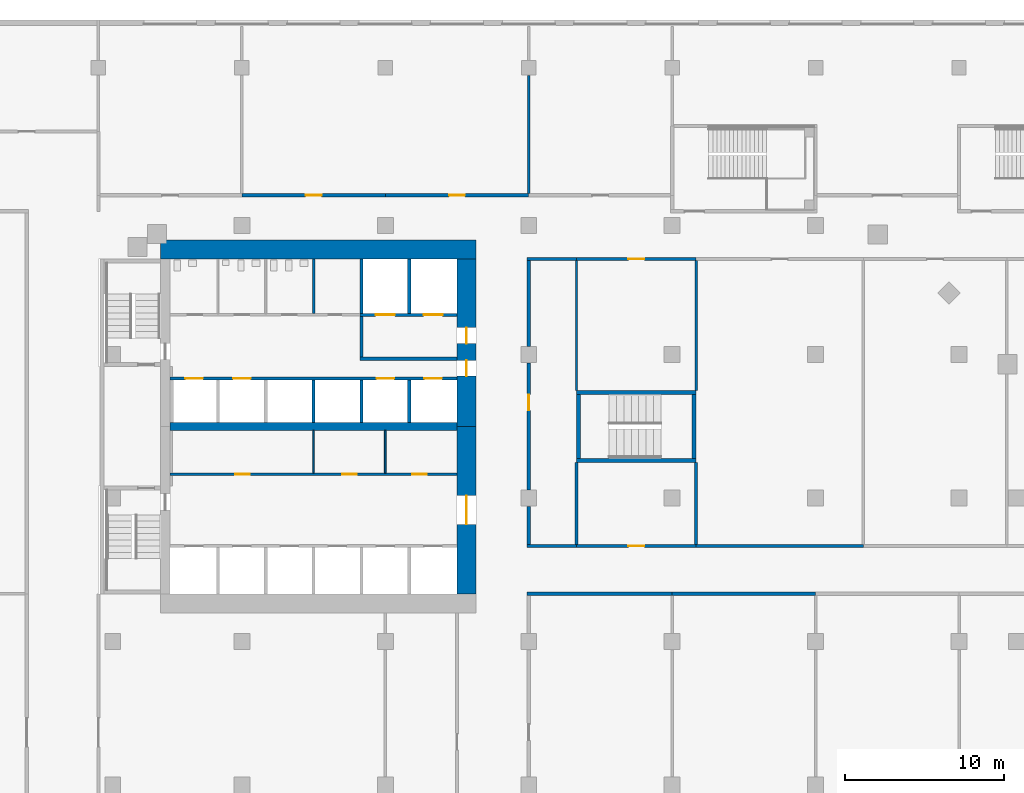
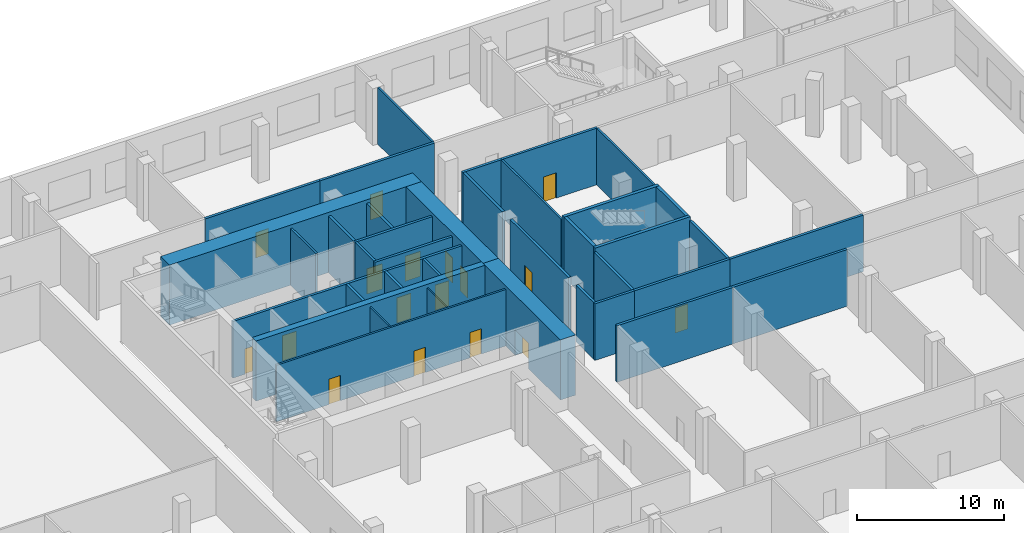
# One storey, part 11 of 21: 38 walls, 17 doors, 17 openings.
"""IFC4 building model written with IfcOpenShell, lengths in metres."""

import ifcopenshell
import ifcopenshell.guid

model = None  # the IFC model being written
_history = None  # IfcOwnerHistory: only IFC2X3 demands one
_inside = {}  # id of a spatial element -> (the spatial element, [elements in it])
_under = {}  # id of a project, library or spatial element -> (it, [spatial elements below it])
_declared = {}  # id of a project -> (the project, [libraries it declares])
_typed = {}  # id of a type object -> (the type object, [elements of that type])
_made_of = {}  # id of a material, layer set ... -> (it, [elements and type objects made of it])


def new_model(schema):
    """Start an empty IFC model of exactly this schema.

    Asked for "IFC4X3", IfcOpenShell would pick the latest addendum, in which some entities
    have other attributes; the version numbers below select the first issue.
    IFC2X3 requires an IfcOwnerHistory on every rooted entity: one is made here for all.
    """
    global model, _history
    if schema == "IFC4X3":
        model = ifcopenshell.file(schema_version=(4, 3, 0, 0))
    else:
        model = ifcopenshell.file(schema=schema)
    _inside.clear()
    _under.clear()
    _declared.clear()
    _typed.clear()
    _made_of.clear()
    _history = None
    if model.schema == "IFC2X3":
        org = make("IfcOrganization", Name="unknown")
        user = make(
            "IfcPersonAndOrganization",
            ThePerson=make("IfcPerson", FamilyName="unknown"),
            TheOrganization=org,
        )
        app = make(
            "IfcApplication",
            ApplicationDeveloper=org,
            Version="unknown",
            ApplicationFullName="unknown",
            ApplicationIdentifier="unknown",
        )
        _history = make(
            "IfcOwnerHistory",
            OwningUser=user,
            OwningApplication=app,
            ChangeAction="ADDED",
            CreationDate=0,
        )
    return model


def make(cls, **values):
    """One entity of the class cls with the attributes given. An attribute that is None is left unset."""
    return model.create_entity(
        cls, **{name: value for name, value in values.items() if value is not None}
    )


def rooted(cls, **values):
    """An entity with a GlobalId (a new one), such as an element, a storey or a relation."""
    return make(cls, GlobalId=ifcopenshell.guid.new(), OwnerHistory=_history, **values)


def si_unit(unit_type, name, prefix=None):
    """IfcSIUnit, for example si_unit("LENGTHUNIT", "METRE", prefix="MILLI")."""
    return make("IfcSIUnit", UnitType=unit_type, Prefix=prefix, Name=name)


def assignment(units):
    """IfcUnitAssignment: the units of a project."""
    return None if units is None else make("IfcUnitAssignment", Units=units)


def point(xyz):
    """IfcCartesianPoint."""
    return None if xyz is None else make("IfcCartesianPoint", Coordinates=xyz)


def direction(xyz):
    """IfcDirection."""
    return None if xyz is None else make("IfcDirection", DirectionRatios=xyz)


def frame(location, z_axis=None, x_axis=None):
    """IfcAxis2Placement3D, a coordinate frame: its origin and axes. An axis left out is left unset."""
    return make(
        "IfcAxis2Placement3D",
        Location=point(location),
        Axis=direction(z_axis),
        RefDirection=direction(x_axis),
    )


def frame_2d(location, x_axis=None):
    """IfcAxis2Placement2D, a coordinate frame in the plane: its origin and x axis."""
    return make(
        "IfcAxis2Placement2D", Location=point(location), RefDirection=direction(x_axis)
    )


def origin():
    """The frame at (0, 0, 0) with its axes left unset."""
    return frame((0.0, 0.0, 0.0))


def place(relative_to, where):
    """IfcLocalPlacement: puts the frame where relative to a parent placement (None: the world)."""
    return make(
        "IfcLocalPlacement", PlacementRelTo=relative_to, RelativePlacement=where
    )


def context(
    kind, dimensions, precision=None, world=None, true_north=None, identifier=None
):
    """IfcGeometricRepresentationContext, for example the 3D "Model" context."""
    return make(
        "IfcGeometricRepresentationContext",
        ContextIdentifier=identifier,
        ContextType=kind,
        CoordinateSpaceDimension=dimensions,
        Precision=precision,
        WorldCoordinateSystem=world,
        TrueNorth=true_north,
    )


def subcontext(parent, identifier, kind, view, scale=None):
    """IfcGeometricRepresentationSubContext, for example "Body" below "Model"."""
    return make(
        "IfcGeometricRepresentationSubContext",
        ContextIdentifier=identifier,
        ContextType=kind,
        ParentContext=parent,
        TargetScale=scale,
        TargetView=view,
    )


def project(units=None, contexts=None):
    """IfcProject with its units and contexts."""
    return rooted(
        "IfcProject",
        Name="project",
        RepresentationContexts=contexts,
        UnitsInContext=assignment(units),
    )


def spatial(cls, under=None, at=None, **own):
    """A site, building, storey or space (cls), placed at a placement, below another one or the project."""
    s = rooted(cls, ObjectPlacement=at, **own)
    if under is not None:
        _under.setdefault(under.id(), (under, []))[1].append(s)
    return s


def profile(cls, at=None, kind="AREA", **sizes):
    """A parametric profile (cls). Its sizes go by their IFC names, for example OverallWidth=200.0."""
    return make(cls, ProfileType=kind, Position=at, **sizes)


def rectangle(**sizes):
    """IfcRectangleProfileDef."""
    return profile("IfcRectangleProfileDef", **sizes)


def extrude(swept, where, along, depth):
    """IfcExtrudedAreaSolid: the profile swept, set in the frame where, extruded along a direction by depth."""
    return make(
        "IfcExtrudedAreaSolid",
        SweptArea=swept,
        Position=where,
        ExtrudedDirection=direction(along),
        Depth=depth,
    )


def shape(context_of_items, identifier, shape_type, items):
    """IfcShapeRepresentation: the items that make up one representation, for example the "Body"."""
    return make(
        "IfcShapeRepresentation",
        ContextOfItems=context_of_items,
        RepresentationIdentifier=identifier,
        RepresentationType=shape_type,
        Items=items,
    )


def material(Name=None, Category=None):
    """IfcMaterial."""
    return make("IfcMaterial", Name=Name, Category=Category)


def layer(
    of_material, thickness, ventilated=None, Name=None, Category=None, Priority=None
):
    """IfcMaterialLayer: one layer of a wall or slab, of a material (None: an air gap)."""
    return make(
        "IfcMaterialLayer",
        Material=of_material,
        LayerThickness=thickness,
        IsVentilated=ventilated,
        Name=Name,
        Category=Category,
        Priority=Priority,
    )


def layer_set(layers, Name=None):
    """IfcMaterialLayerSet."""
    return make("IfcMaterialLayerSet", MaterialLayers=layers, LayerSetName=Name)


def made_of(thing, what):
    """Note that an element or type object is made of a material, layer set ...; save() writes the relation."""
    if what is not None:
        _made_of.setdefault(what.id(), (what, []))[1].append(thing)
    return thing


def type_object(cls, material=None, **own):
    """A type object (cls), such as IfcWallType, which elements share."""
    return made_of(rooted(cls, **own), material)


def element(
    cls,
    number,
    at=None,
    inside=None,
    cuts=None,
    type_object=None,
    material=None,
    context=None,
    identifier="Body",
    shape_type=None,
    held_by="IfcProductDefinitionShape",
    body=None,
    shapes=None,
    **own,
):
    """One element of the class cls, such as IfcWall. Its Tag is "e" and its number.

    at: its placement. inside: the storey or other place that contains it. cuts: it is an
    opening in that element (IfcRelVoidsElement). A single representation is given by context,
    identifier, shape_type and body (its items); several are given by shapes. held_by: the class
    of the entity that holds the representations. save() writes the other relations.
    """
    e = rooted(cls, Tag="e%d" % number, ObjectPlacement=at, **own)
    if body is not None:
        shapes = [shape(context, identifier, shape_type, body)]
    if shapes is not None:
        e.Representation = make(held_by, Representations=shapes)
    if inside is not None:
        _inside.setdefault(inside.id(), (inside, []))[1].append(e)
    if cuts is not None:
        rooted(
            "IfcRelVoidsElement", RelatingBuildingElement=cuts, RelatedOpeningElement=e
        )
    if type_object is not None:
        _typed.setdefault(type_object.id(), (type_object, []))[1].append(e)
    return made_of(e, material)


def fill(opening, filler):
    """IfcRelFillsElement: the door or window that sits in an opening."""
    return rooted(
        "IfcRelFillsElement",
        RelatingOpeningElement=opening,
        RelatedBuildingElement=filler,
    )


def aggregate(whole, parts):
    """IfcRelAggregates: a whole, such as a stair, and the parts it consists of."""
    return rooted("IfcRelAggregates", RelatingObject=whole, RelatedObjects=parts)


def save(model, path):
    """Write the relations noted so far, then the file.

    IfcRelAggregates (storeys below a building ...), IfcRelContainedInSpatialStructure (elements
    in a storey), IfcRelDefinesByType, IfcRelAssociatesMaterial and IfcRelDeclares: one each for
    every whole, place, type object, material and project.
    """
    for whole, parts in _under.values():
        aggregate(whole, parts)
    for where, things in _inside.values():
        rooted(
            "IfcRelContainedInSpatialStructure",
            RelatedElements=things,
            RelatingStructure=where,
        )
    for kind, things in _typed.values():
        rooted("IfcRelDefinesByType", RelatedObjects=things, RelatingType=kind)
    for what, things in _made_of.values():
        rooted("IfcRelAssociatesMaterial", RelatedObjects=things, RelatingMaterial=what)
    for by, libraries in _declared.values():
        rooted("IfcRelDeclares", RelatingContext=by, RelatedDefinitions=libraries)
    model.write(path)


model = new_model("IFC4")

# Units and contexts
model_context = context("Model", 3, precision=1e-05, world=origin(), true_north=direction((0.0, 1.0)))
body_context = subcontext(model_context, "Body", "Model", "MODEL_VIEW")
ifc_project = project(units=[si_unit("LENGTHUNIT", "METRE"), si_unit("AREAUNIT", "SQUARE_METRE"), si_unit("VOLUMEUNIT", "CUBIC_METRE"), si_unit("PLANEANGLEUNIT", "RADIAN"), si_unit("MASSUNIT", "GRAM", prefix="KILO")], contexts=[model_context])

# Site, building, storey
site_placement = place(None, origin())
site = spatial("IfcSite", under=ifc_project, at=site_placement, CompositionType="ELEMENT")
building_placement = place(site_placement, origin())
building = spatial("IfcBuilding", under=site, at=building_placement, Name="Cinnabar Reach Civic Tower", CompositionType="ELEMENT")
storey_placement = place(building_placement, frame((0.0, 0.0, 11.0)))
storey = spatial("IfcBuildingStorey", under=building, at=storey_placement, Name="L02", CompositionType="ELEMENT", Elevation=11.0)

# Wall
ifc_material_1 = material(Name="Concrete C70", Category="concrete")
ifc_layer_1 = layer(ifc_material_1, 1.2)
ifc_layer_set_1 = layer_set([ifc_layer_1], Name="Core wall 1200 EI 180")
wall_type_1 = type_object("IfcWallType", Name="Core wall 1200 EI 180", PredefinedType="SOLIDWALL", material=ifc_layer_set_1)
wall_1_placement = place(storey_placement, frame((23.7, 42.6, 0.0), z_axis=(0.0, 0.0, 1.0), x_axis=(-1.0, 0.0, 0.0)))
element("IfcWall", 1, at=wall_1_placement, inside=storey, type_object=wall_type_1, Name="Core wall T1 L02 N", PredefinedType="SOLIDWALL", context=body_context, shape_type="SweptSolid", body=[
    extrude(rectangle(XDim=19.8, YDim=1.2, at=frame_2d((9.9, 0.0))), origin(), (0.0, 0.0, 1.0), 5.0),
])

# Wall, opening, door
wall_2_placement = place(storey_placement, frame((23.1, 21.0, 0.0), z_axis=(0.0, 0.0, 1.0), x_axis=(0.0, 1.0, 0.0)))
wall_2 = element("IfcWall", 2, at=wall_2_placement, inside=storey, type_object=wall_type_1, Name="Core wall T1 L02 E", PredefinedType="SOLIDWALL", context=body_context, shape_type="SweptSolid", body=[
    extrude(rectangle(XDim=10.5, YDim=1.2, at=frame_2d((5.25, 0.0))), origin(), (0.0, 0.0, 1.0), 5.0),
])
opening_1_placement = place(wall_2_placement, frame((4.35, 0.0, 0.0)))
opening_1 = element("IfcOpeningElement", 3, at=opening_1_placement, cuts=wall_2, Name="Opening D3128", PredefinedType="OPENING", context=body_context, shape_type="SweptSolid", body=[
    extrude(rectangle(XDim=1.8, YDim=2.1, at=frame_2d((0.9, 1.05))), frame((0.0, 0.61, 0.0), z_axis=(0.0, -1.0, 0.0), x_axis=(1.0, 0.0, 0.0)), (0.0, 0.0, 1.0), 1.22),
])
ifc_material_2 = material(Name="Timber door leaf in steel frame", Category="steel")
door_type_1 = type_object("IfcDoorType", Name="Double swing door 1800 x 2100 T1", OperationType="DOUBLE_DOOR_DOUBLE_SWING", PredefinedType="DOOR", material=ifc_material_2)
door_1_placement = place(opening_1_placement, origin())
door_1 = element("IfcDoor", 4, at=door_1_placement, inside=storey, type_object=door_type_1, Name="Door D3128", OperationType="DOUBLE_DOOR_DOUBLE_SWING", OverallHeight=2.1, OverallWidth=1.8, PredefinedType="DOOR", context=body_context, shape_type="SweptSolid", body=[
    extrude(rectangle(XDim=1.8, YDim=2.1, at=frame_2d((0.9, 1.05))), frame((0.0, 0.025, 0.0), z_axis=(0.0, -1.0, 0.0), x_axis=(1.0, 0.0, 0.0)), (0.0, 0.0, 1.0), 0.05),
])
fill(opening_1, door_1)

# Wall, openings, doors
wall_3_placement = place(storey_placement, frame((23.1, 31.5, 0.0), z_axis=(0.0, 0.0, 1.0), x_axis=(0.0, 1.0, 0.0)))
wall_3 = element("IfcWall", 5, at=wall_3_placement, inside=storey, type_object=wall_type_1, Name="Core wall T1 L02 E2", PredefinedType="SOLIDWALL", context=body_context, shape_type="SweptSolid", body=[
    extrude(rectangle(XDim=10.5, YDim=1.2, at=frame_2d((5.25, 0.0))), origin(), (0.0, 0.0, 1.0), 5.0),
])
opening_2_placement = place(wall_3_placement, frame((3.15, 0.0, 0.0)))
opening_2 = element("IfcOpeningElement", 6, at=opening_2_placement, cuts=wall_3, Name="Opening D3129", PredefinedType="OPENING", context=body_context, shape_type="SweptSolid", body=[
    extrude(rectangle(XDim=1.0, YDim=2.1, at=frame_2d((0.5, 1.05))), frame((0.0, 0.61, 0.0), z_axis=(0.0, -1.0, 0.0), x_axis=(1.0, 0.0, 0.0)), (0.0, 0.0, 1.0), 1.22),
])
opening_3_placement = place(wall_3_placement, frame((5.2, 0.0, 0.0)))
opening_3 = element("IfcOpeningElement", 7, at=opening_3_placement, cuts=wall_3, Name="Opening D3130", PredefinedType="OPENING", context=body_context, shape_type="SweptSolid", body=[
    extrude(rectangle(XDim=1.0, YDim=2.1, at=frame_2d((0.5, 1.05))), frame((0.0, 0.61, 0.0), z_axis=(0.0, -1.0, 0.0), x_axis=(1.0, 0.0, 0.0)), (0.0, 0.0, 1.0), 1.22),
])
door_type_2 = type_object("IfcDoorType", Name="Firefighting lobby door 1000 x 2100 T1", OperationType="SINGLE_SWING_LEFT", PredefinedType="DOOR", material=ifc_material_2)
door_2_placement = place(opening_3_placement, frame((1.0, 0.0, 0.0), z_axis=(0.0, 0.0, 1.0), x_axis=(-1.0, 0.0, 0.0)))
door_2 = element("IfcDoor", 8, at=door_2_placement, inside=storey, type_object=door_type_2, Name="Door D3130", OperationType="SINGLE_SWING_LEFT", OverallHeight=2.1, OverallWidth=1.0, PredefinedType="DOOR", context=body_context, shape_type="SweptSolid", body=[
    extrude(rectangle(XDim=1.0, YDim=2.1, at=frame_2d((0.5, 1.05))), frame((0.0, 0.025, 0.0), z_axis=(0.0, -1.0, 0.0), x_axis=(1.0, 0.0, 0.0)), (0.0, 0.0, 1.0), 0.05),
])
fill(opening_3, door_2)
door_type_3 = type_object("IfcDoorType", Name="Single swing door 1000 x 2100 T1", OperationType="SINGLE_SWING_LEFT", PredefinedType="DOOR", material=ifc_material_2)
door_3_placement = place(opening_2_placement, frame((1.0, 0.0, 0.0), z_axis=(0.0, 0.0, 1.0), x_axis=(-1.0, 0.0, 0.0)))
door_3 = element("IfcDoor", 9, at=door_3_placement, inside=storey, type_object=door_type_3, Name="Door D3129", OperationType="SINGLE_SWING_RIGHT", OverallHeight=2.1, OverallWidth=1.0, PredefinedType="DOOR", context=body_context, shape_type="SweptSolid", body=[
    extrude(rectangle(XDim=1.0, YDim=2.1, at=frame_2d((0.5, 1.05))), frame((0.0, 0.025, 0.0), z_axis=(0.0, -1.0, 0.0), x_axis=(1.0, 0.0, 0.0)), (0.0, 0.0, 1.0), 0.05),
])
fill(opening_2, door_3)

# Wall
ifc_material_3 = material(Name="Concrete C60", Category="concrete")
ifc_layer_2 = layer(ifc_material_3, 0.5)
ifc_layer_set_2 = layer_set([ifc_layer_2], Name="Core wall 500 EI 180")
wall_type_2 = type_object("IfcWallType", Name="Core wall 500 EI 180", PredefinedType="SOLIDWALL", material=ifc_layer_set_2)
wall_4_placement = place(storey_placement, frame((4.5, 31.5, 0.0), z_axis=(0.0, 0.0, 1.0), x_axis=(1.0, 0.0, 0.0)))
element("IfcWall", 10, at=wall_4_placement, inside=storey, type_object=wall_type_2, Name="Core spine wall T1 L02", PredefinedType="SOLIDWALL", context=body_context, shape_type="SweptSolid", body=[
    extrude(rectangle(XDim=18.0, YDim=0.5, at=frame_2d((9.0, 0.0))), origin(), (0.0, 0.0, 1.0), 5.0),
])

# Wall, openings, doors
ifc_material_4 = material(Name="Gypsum board on steel studs, double layer", Category="steel")
ifc_layer_3 = layer(ifc_material_4, 0.15)
ifc_layer_set_3 = layer_set([ifc_layer_3], Name="Corridor wall 150 T1")
wall_type_3 = type_object("IfcWallType", Name="Corridor wall 150 T1", PredefinedType="PARTITIONING", material=ifc_layer_set_3)
wall_5_placement = place(storey_placement, frame((4.5, 28.5, 0.0), z_axis=(0.0, 0.0, 1.0), x_axis=(1.0, 0.0, 0.0)))
wall_5 = element("IfcWall", 11, at=wall_5_placement, inside=storey, type_object=wall_type_3, Name="Corridor wall 19", PredefinedType="PARTITIONING", context=body_context, shape_type="SweptSolid", body=[
    extrude(rectangle(XDim=18.0, YDim=0.15, at=frame_2d((9.0, 0.0))), origin(), (0.0, 0.0, 1.0), 4.7),
])
opening_4_placement = place(wall_5_placement, frame((4.1, 0.0, 0.0)))
opening_4 = element("IfcOpeningElement", 12, at=opening_4_placement, cuts=wall_5, Name="Opening D3131", PredefinedType="OPENING", context=body_context, shape_type="SweptSolid", body=[
    extrude(rectangle(XDim=0.9, YDim=2.1, at=frame_2d((0.45, 1.05))), frame((0.0, 0.085, 0.0), z_axis=(0.0, -1.0, 0.0), x_axis=(1.0, 0.0, 0.0)), (0.0, 0.0, 1.0), 0.17),
])
opening_5_placement = place(wall_5_placement, frame((10.8, 0.0, 0.0)))
opening_5 = element("IfcOpeningElement", 13, at=opening_5_placement, cuts=wall_5, Name="Opening D3132", PredefinedType="OPENING", context=body_context, shape_type="SweptSolid", body=[
    extrude(rectangle(XDim=0.9, YDim=2.1, at=frame_2d((0.45, 1.05))), frame((0.0, 0.085, 0.0), z_axis=(0.0, -1.0, 0.0), x_axis=(1.0, 0.0, 0.0)), (0.0, 0.0, 1.0), 0.17),
])
opening_6_placement = place(wall_5_placement, frame((15.2, 0.0, 0.0)))
opening_6 = element("IfcOpeningElement", 14, at=opening_6_placement, cuts=wall_5, Name="Opening D3133", PredefinedType="OPENING", context=body_context, shape_type="SweptSolid", body=[
    extrude(rectangle(XDim=0.9, YDim=2.1, at=frame_2d((0.45, 1.05))), frame((0.0, 0.085, 0.0), z_axis=(0.0, -1.0, 0.0), x_axis=(1.0, 0.0, 0.0)), (0.0, 0.0, 1.0), 0.17),
])
door_type_4 = type_object("IfcDoorType", Name="Single swing door 900 x 2100 corridor T1", OperationType="SINGLE_SWING_LEFT", PredefinedType="DOOR", material=ifc_material_2)
door_4_placement = place(opening_4_placement, origin())
door_4 = element("IfcDoor", 15, at=door_4_placement, inside=storey, type_object=door_type_4, Name="Door D3131", OperationType="SINGLE_SWING_RIGHT", OverallHeight=2.1, OverallWidth=0.9, PredefinedType="DOOR", context=body_context, shape_type="SweptSolid", body=[
    extrude(rectangle(XDim=0.9, YDim=2.1, at=frame_2d((0.45, 1.05))), frame((0.0, 0.025, 0.0), z_axis=(0.0, -1.0, 0.0), x_axis=(1.0, 0.0, 0.0)), (0.0, 0.0, 1.0), 0.05),
])
fill(opening_4, door_4)
door_5_placement = place(opening_5_placement, origin())
door_5 = element("IfcDoor", 16, at=door_5_placement, inside=storey, type_object=door_type_4, Name="Door D3132", OperationType="SINGLE_SWING_RIGHT", OverallHeight=2.1, OverallWidth=0.9, PredefinedType="DOOR", context=body_context, shape_type="SweptSolid", body=[
    extrude(rectangle(XDim=0.9, YDim=2.1, at=frame_2d((0.45, 1.05))), frame((0.0, 0.025, 0.0), z_axis=(0.0, -1.0, 0.0), x_axis=(1.0, 0.0, 0.0)), (0.0, 0.0, 1.0), 0.05),
])
fill(opening_5, door_5)
door_6_placement = place(opening_6_placement, origin())
door_6 = element("IfcDoor", 17, at=door_6_placement, inside=storey, type_object=door_type_4, Name="Door D3133", OperationType="SINGLE_SWING_LEFT", OverallHeight=2.1, OverallWidth=0.9, PredefinedType="DOOR", context=body_context, shape_type="SweptSolid", body=[
    extrude(rectangle(XDim=0.9, YDim=2.1, at=frame_2d((0.45, 1.05))), frame((0.0, 0.025, 0.0), z_axis=(0.0, -1.0, 0.0), x_axis=(1.0, 0.0, 0.0)), (0.0, 0.0, 1.0), 0.05),
])
fill(opening_6, door_6)

ifc_material_5 = material(Name="Blockwork", Category="masonry")
ifc_layer_4 = layer(ifc_material_5, 0.2)
ifc_layer_set_4 = layer_set([ifc_layer_4], Name="Lift shaft wall 200 T1")
wall_type_4 = type_object("IfcWallType", Name="Lift shaft wall 200 T1", PredefinedType="PARTITIONING", material=ifc_layer_set_4)
wall_6_placement = place(storey_placement, frame((4.5, 34.5, 0.0), z_axis=(0.0, 0.0, 1.0), x_axis=(1.0, 0.0, 0.0)))
wall_6 = element("IfcWall", 18, at=wall_6_placement, inside=storey, type_object=wall_type_4, Name="Lift shaft wall 5", PredefinedType="PARTITIONING", context=body_context, shape_type="SweptSolid", body=[
    extrude(rectangle(XDim=18.0, YDim=0.2, at=frame_2d((9.0, 0.0))), origin(), (0.0, 0.0, 1.0), 4.7),
])
opening_7_placement = place(wall_6_placement, frame((0.95, 0.0, 0.0)))
opening_7 = element("IfcOpeningElement", 19, at=opening_7_placement, cuts=wall_6, Name="Opening D3122", PredefinedType="OPENING", context=body_context, shape_type="SweptSolid", body=[
    extrude(rectangle(XDim=1.1, YDim=2.1, at=frame_2d((0.55, 1.05))), frame((0.0, 0.11, 0.0), z_axis=(0.0, -1.0, 0.0), x_axis=(1.0, 0.0, 0.0)), (0.0, 0.0, 1.0), 0.22),
])
opening_8_placement = place(wall_6_placement, frame((3.95, 0.0, 0.0)))
opening_8 = element("IfcOpeningElement", 20, at=opening_8_placement, cuts=wall_6, Name="Opening D3123", PredefinedType="OPENING", context=body_context, shape_type="SweptSolid", body=[
    extrude(rectangle(XDim=1.1, YDim=2.1, at=frame_2d((0.55, 1.05))), frame((0.0, 0.11, 0.0), z_axis=(0.0, -1.0, 0.0), x_axis=(1.0, 0.0, 0.0)), (0.0, 0.0, 1.0), 0.22),
])
opening_9_placement = place(wall_6_placement, frame((12.95, 0.0, 0.0)))
opening_9 = element("IfcOpeningElement", 21, at=opening_9_placement, cuts=wall_6, Name="Opening D3124", PredefinedType="OPENING", context=body_context, shape_type="SweptSolid", body=[
    extrude(rectangle(XDim=1.1, YDim=2.1, at=frame_2d((0.55, 1.05))), frame((0.0, 0.11, 0.0), z_axis=(0.0, -1.0, 0.0), x_axis=(1.0, 0.0, 0.0)), (0.0, 0.0, 1.0), 0.22),
])
opening_10_placement = place(wall_6_placement, frame((15.95, 0.0, 0.0)))
opening_10 = element("IfcOpeningElement", 22, at=opening_10_placement, cuts=wall_6, Name="Opening D3125", PredefinedType="OPENING", context=body_context, shape_type="SweptSolid", body=[
    extrude(rectangle(XDim=1.1, YDim=2.1, at=frame_2d((0.55, 1.05))), frame((0.0, 0.11, 0.0), z_axis=(0.0, -1.0, 0.0), x_axis=(1.0, 0.0, 0.0)), (0.0, 0.0, 1.0), 0.22),
])
ifc_material_6 = material(Name="Stainless steel sliding door", Category="steel")
door_type_5 = type_object("IfcDoorType", Name="Lift landing door 1100 x 2100 T1", OperationType="SLIDING_TO_LEFT", PredefinedType="DOOR", material=ifc_material_6)
door_7_placement = place(opening_7_placement, origin())
door_7 = element("IfcDoor", 23, at=door_7_placement, inside=storey, type_object=door_type_5, Name="Lift landing door SH1 L02", OperationType="SLIDING_TO_LEFT", OverallHeight=2.1, OverallWidth=1.1, PredefinedType="DOOR", context=body_context, shape_type="SweptSolid", body=[
    extrude(rectangle(XDim=1.1, YDim=2.1, at=frame_2d((0.55, 1.05))), frame((0.0, 0.025, 0.0), z_axis=(0.0, -1.0, 0.0), x_axis=(1.0, 0.0, 0.0)), (0.0, 0.0, 1.0), 0.05),
])
fill(opening_7, door_7)
door_8_placement = place(opening_8_placement, origin())
door_8 = element("IfcDoor", 24, at=door_8_placement, inside=storey, type_object=door_type_5, Name="Lift landing door SH2 L02", OperationType="SLIDING_TO_LEFT", OverallHeight=2.1, OverallWidth=1.1, PredefinedType="DOOR", context=body_context, shape_type="SweptSolid", body=[
    extrude(rectangle(XDim=1.1, YDim=2.1, at=frame_2d((0.55, 1.05))), frame((0.0, 0.025, 0.0), z_axis=(0.0, -1.0, 0.0), x_axis=(1.0, 0.0, 0.0)), (0.0, 0.0, 1.0), 0.05),
])
fill(opening_8, door_8)
door_9_placement = place(opening_9_placement, origin())
door_9 = element("IfcDoor", 25, at=door_9_placement, inside=storey, type_object=door_type_5, Name="Lift landing door SV1 L02", OperationType="SLIDING_TO_LEFT", OverallHeight=2.1, OverallWidth=1.1, PredefinedType="DOOR", context=body_context, shape_type="SweptSolid", body=[
    extrude(rectangle(XDim=1.1, YDim=2.1, at=frame_2d((0.55, 1.05))), frame((0.0, 0.025, 0.0), z_axis=(0.0, -1.0, 0.0), x_axis=(1.0, 0.0, 0.0)), (0.0, 0.0, 1.0), 0.05),
])
fill(opening_9, door_9)
door_10_placement = place(opening_10_placement, origin())
door_10 = element("IfcDoor", 26, at=door_10_placement, inside=storey, type_object=door_type_5, Name="Lift landing door SV2 L02", OperationType="SLIDING_TO_LEFT", OverallHeight=2.1, OverallWidth=1.1, PredefinedType="DOOR", context=body_context, shape_type="SweptSolid", body=[
    extrude(rectangle(XDim=1.1, YDim=2.1, at=frame_2d((0.55, 1.05))), frame((0.0, 0.025, 0.0), z_axis=(0.0, -1.0, 0.0), x_axis=(1.0, 0.0, 0.0)), (0.0, 0.0, 1.0), 0.05),
])
fill(opening_10, door_10)

# Walls
for number, where, z_axis, x_axis, name in (
    (27, (16.5, 38.6, 0.0), (0.0, 0.0, 1.0), (0.0, 1.0, 0.0), "Lift shaft wall 6"),
    (28, (19.5, 38.6, 0.0), (0.0, 0.0, 1.0), (0.0, 1.0, 0.0), "Lift shaft wall 7"),
):
    element("IfcWall", number, at=place(storey_placement, frame(where, z_axis=z_axis, x_axis=x_axis)), inside=storey, type_object=wall_type_4, Name=name, PredefinedType="PARTITIONING", context=body_context, shape_type="SweptSolid", body=[
        extrude(rectangle(XDim=3.4, YDim=0.2, at=frame_2d((1.7, 0.0))), origin(), (0.0, 0.0, 1.0), 4.7),
    ])
for number, where, z_axis, x_axis, name in (
    (29, (13.5, 31.75, 0.0), (0.0, 0.0, 1.0), (0.0, 1.0, 0.0), "Lift shaft wall 14"),
    (30, (16.5, 31.75, 0.0), (0.0, 0.0, 1.0), (0.0, 1.0, 0.0), "Lift shaft wall 16"),
    (31, (19.5, 31.75, 0.0), (0.0, 0.0, 1.0), (0.0, 1.0, 0.0), "Lift shaft wall 18"),
):
    element("IfcWall", number, at=place(storey_placement, frame(where, z_axis=z_axis, x_axis=x_axis)), inside=storey, type_object=wall_type_4, Name=name, PredefinedType="PARTITIONING", context=body_context, shape_type="SweptSolid", body=[
        extrude(rectangle(XDim=2.65, YDim=0.2, at=frame_2d((1.325, 0.0))), origin(), (0.0, 0.0, 1.0), 4.7),
    ])
ifc_material_7 = material(Name="Gypsum board on steel studs", Category="steel")
ifc_layer_5 = layer(ifc_material_7, 0.1)
ifc_layer_set_5 = layer_set([ifc_layer_5], Name="Partition wall 100 T1")
wall_type_5 = type_object("IfcWallType", Name="Partition wall 100 T1", PredefinedType="PARTITIONING", material=ifc_layer_set_5)
for number, where, z_axis, x_axis, name in (
    (32, (13.5, 28.575, 0.0), (0.0, 0.0, 1.0), (0.0, 1.0, 0.0), "Partition wall 27"),
    (33, (18.0, 28.575, 0.0), (0.0, 0.0, 1.0), (0.0, 1.0, 0.0), "Partition wall 28"),
):
    element("IfcWall", number, at=place(storey_placement, frame(where, z_axis=z_axis, x_axis=x_axis)), inside=storey, type_object=wall_type_5, Name=name, PredefinedType="PARTITIONING", context=body_context, shape_type="SweptSolid", body=[
        extrude(rectangle(XDim=2.675, YDim=0.1, at=frame_2d((1.3375, 0.0))), origin(), (0.0, 0.0, 1.0), 4.7),
    ])
ifc_material_8 = material(Name="Concrete blockwork", Category="masonry")
ifc_layer_6 = layer(ifc_material_8, 0.2)
ifc_layer_set_6 = layer_set([ifc_layer_6], Name="Podium masonry corridor wall 200 EI 120")
wall_type_6 = type_object("IfcWallType", Name="Podium masonry corridor wall 200 EI 120", PredefinedType="PARTITIONING", material=ifc_layer_set_6)
wall_7_placement = place(storey_placement, frame((26.9, 42.0, 0.0), z_axis=(0.0, 0.0, 1.0), x_axis=(1.0, 0.0, 0.0)))
element("IfcWall", 34, at=wall_7_placement, inside=storey, type_object=wall_type_6, Name="Wall L02 95", PredefinedType="PARTITIONING", context=body_context, shape_type="SweptSolid", body=[
    extrude(rectangle(XDim=3.1, YDim=0.2, at=frame_2d((1.55, 0.0))), origin(), (0.0, 0.0, 1.0), 4.7),
])

# Wall, opening, door
wall_8_placement = place(storey_placement, frame((30.0, 42.0, 0.0), z_axis=(0.0, 0.0, 1.0), x_axis=(1.0, 0.0, 0.0)))
wall_8 = element("IfcWall", 35, at=wall_8_placement, inside=storey, type_object=wall_type_6, Name="Wall L02 96", PredefinedType="PARTITIONING", context=body_context, shape_type="SweptSolid", body=[
    extrude(rectangle(XDim=7.5, YDim=0.2, at=frame_2d((3.75, 0.0))), origin(), (0.0, 0.0, 1.0), 4.7),
])
opening_11_placement = place(wall_8_placement, frame((3.25, 0.0, 0.0)))
opening_11 = element("IfcOpeningElement", 36, at=opening_11_placement, cuts=wall_8, Name="Opening D1140", PredefinedType="OPENING", context=body_context, shape_type="SweptSolid", body=[
    extrude(rectangle(XDim=1.0, YDim=2.1, at=frame_2d((0.5, 1.05))), frame((0.0, 0.11, 0.0), z_axis=(0.0, -1.0, 0.0), x_axis=(1.0, 0.0, 0.0)), (0.0, 0.0, 1.0), 0.22),
])
ifc_material_9 = material(Name="Painted steel door leaf", Category="steel")
door_type_6 = type_object("IfcDoorType", Name="Podium single door 1000x2100", OperationType="SINGLE_SWING_LEFT", PredefinedType="DOOR", material=ifc_material_9)
door_11_placement = place(opening_11_placement, frame((1.0, 0.0, 0.0), z_axis=(0.0, 0.0, 1.0), x_axis=(-1.0, 0.0, 0.0)))
door_11 = element("IfcDoor", 37, at=door_11_placement, inside=storey, type_object=door_type_6, Name="Door D1140", OperationType="SINGLE_SWING_RIGHT", OverallHeight=2.1, OverallWidth=1.0, PredefinedType="DOOR", context=body_context, shape_type="SweptSolid", body=[
    extrude(rectangle(XDim=1.0, YDim=2.1, at=frame_2d((0.5, 1.05))), frame((0.0, 0.025, 0.0), z_axis=(0.0, -1.0, 0.0), x_axis=(1.0, 0.0, 0.0)), (0.0, 0.0, 1.0), 0.05),
])
fill(opening_11, door_11)

wall_9_placement = place(storey_placement, frame((9.0, 46.0, 0.0), z_axis=(0.0, 0.0, 1.0), x_axis=(1.0, 0.0, 0.0)))
wall_9 = element("IfcWall", 38, at=wall_9_placement, inside=storey, type_object=wall_type_6, Name="Wall L02 101", PredefinedType="PARTITIONING", context=body_context, shape_type="SweptSolid", body=[
    extrude(rectangle(XDim=9.0, YDim=0.2, at=frame_2d((4.5, 0.0))), origin(), (0.0, 0.0, 1.0), 4.7),
])
opening_12_placement = place(wall_9_placement, frame((4.0, 0.0, 0.0)))
opening_12 = element("IfcOpeningElement", 39, at=opening_12_placement, cuts=wall_9, Name="Opening D1149", PredefinedType="OPENING", context=body_context, shape_type="SweptSolid", body=[
    extrude(rectangle(XDim=1.0, YDim=2.1, at=frame_2d((0.5, 1.05))), frame((0.0, 0.11, 0.0), z_axis=(0.0, -1.0, 0.0), x_axis=(1.0, 0.0, 0.0)), (0.0, 0.0, 1.0), 0.22),
])
door_12_placement = place(opening_12_placement, frame((1.0, 0.0, 0.0), z_axis=(0.0, 0.0, 1.0), x_axis=(-1.0, 0.0, 0.0)))
door_12 = element("IfcDoor", 40, at=door_12_placement, inside=storey, type_object=door_type_6, Name="Door D1149", OperationType="SINGLE_SWING_RIGHT", OverallHeight=2.1, OverallWidth=1.0, PredefinedType="DOOR", context=body_context, shape_type="SweptSolid", body=[
    extrude(rectangle(XDim=1.0, YDim=2.1, at=frame_2d((0.5, 1.05))), frame((0.0, 0.025, 0.0), z_axis=(0.0, -1.0, 0.0), x_axis=(1.0, 0.0, 0.0)), (0.0, 0.0, 1.0), 0.05),
])
fill(opening_12, door_12)

wall_10_placement = place(storey_placement, frame((18.0, 46.0, 0.0), z_axis=(0.0, 0.0, 1.0), x_axis=(1.0, 0.0, 0.0)))
wall_10 = element("IfcWall", 41, at=wall_10_placement, inside=storey, type_object=wall_type_6, Name="Wall L02 102", PredefinedType="PARTITIONING", context=body_context, shape_type="SweptSolid", body=[
    extrude(rectangle(XDim=9.0, YDim=0.2, at=frame_2d((4.5, 0.0))), origin(), (0.0, 0.0, 1.0), 4.7),
])
opening_13_placement = place(wall_10_placement, frame((4.0, 0.0, 0.0)))
opening_13 = element("IfcOpeningElement", 42, at=opening_13_placement, cuts=wall_10, Name="Opening D1150", PredefinedType="OPENING", context=body_context, shape_type="SweptSolid", body=[
    extrude(rectangle(XDim=1.0, YDim=2.1, at=frame_2d((0.5, 1.05))), frame((0.0, 0.11, 0.0), z_axis=(0.0, -1.0, 0.0), x_axis=(1.0, 0.0, 0.0)), (0.0, 0.0, 1.0), 0.22),
])
door_13_placement = place(opening_13_placement, frame((1.0, 0.0, 0.0), z_axis=(0.0, 0.0, 1.0), x_axis=(-1.0, 0.0, 0.0)))
door_13 = element("IfcDoor", 43, at=door_13_placement, inside=storey, type_object=door_type_6, Name="Door D1150", OperationType="SINGLE_SWING_LEFT", OverallHeight=2.1, OverallWidth=1.0, PredefinedType="DOOR", context=body_context, shape_type="SweptSolid", body=[
    extrude(rectangle(XDim=1.0, YDim=2.1, at=frame_2d((0.5, 1.05))), frame((0.0, 0.025, 0.0), z_axis=(0.0, -1.0, 0.0), x_axis=(1.0, 0.0, 0.0)), (0.0, 0.0, 1.0), 0.05),
])
fill(opening_13, door_13)

# Wall
wall_11_placement = place(storey_placement, frame((27.0, 24.1, 0.0), z_axis=(0.0, 0.0, 1.0), x_axis=(0.0, 1.0, 0.0)))
element("IfcWall", 44, at=wall_11_placement, inside=storey, type_object=wall_type_6, Name="Wall L02 109", PredefinedType="PARTITIONING", context=body_context, shape_type="SweptSolid", body=[
    extrude(rectangle(XDim=2.38, YDim=0.2, at=frame_2d((1.19, 0.0))), origin(), (0.0, 0.0, 1.0), 4.7),
])

# Wall, opening, door
wall_12_placement = place(storey_placement, frame((27.0, 27.52, 0.0), z_axis=(0.0, 0.0, 1.0), x_axis=(0.0, 1.0, 0.0)))
wall_12 = element("IfcWall", 45, at=wall_12_placement, inside=storey, type_object=wall_type_6, Name="Wall L02 110", PredefinedType="PARTITIONING", context=body_context, shape_type="SweptSolid", body=[
    extrude(rectangle(XDim=7.96, YDim=0.2, at=frame_2d((3.98, 0.0))), origin(), (0.0, 0.0, 1.0), 4.7),
])
opening_14_placement = place(wall_12_placement, frame((4.98, 0.0, 0.0)))
opening_14 = element("IfcOpeningElement", 46, at=opening_14_placement, cuts=wall_12, Name="Opening D1138", PredefinedType="OPENING", context=body_context, shape_type="SweptSolid", body=[
    extrude(rectangle(XDim=1.0, YDim=2.1, at=frame_2d((0.5, 1.05))), frame((0.0, 0.11, 0.0), z_axis=(0.0, -1.0, 0.0), x_axis=(1.0, 0.0, 0.0)), (0.0, 0.0, 1.0), 0.22),
])
door_14_placement = place(opening_14_placement, frame((1.0, 0.0, 0.0), z_axis=(0.0, 0.0, 1.0), x_axis=(-1.0, 0.0, 0.0)))
door_14 = element("IfcDoor", 47, at=door_14_placement, inside=storey, type_object=door_type_6, Name="Door D1138", OperationType="SINGLE_SWING_RIGHT", OverallHeight=2.1, OverallWidth=1.0, PredefinedType="DOOR", context=body_context, shape_type="SweptSolid", body=[
    extrude(rectangle(XDim=1.0, YDim=2.1, at=frame_2d((0.5, 1.05))), frame((0.0, 0.025, 0.0), z_axis=(0.0, -1.0, 0.0), x_axis=(1.0, 0.0, 0.0)), (0.0, 0.0, 1.0), 0.05),
])
fill(opening_14, door_14)

# Walls
wall_13_placement = place(storey_placement, frame((27.0, 36.52, 0.0), z_axis=(0.0, 0.0, 1.0), x_axis=(0.0, 1.0, 0.0)))
element("IfcWall", 48, at=wall_13_placement, inside=storey, type_object=wall_type_6, Name="Wall L02 111", PredefinedType="PARTITIONING", context=body_context, shape_type="SweptSolid", body=[
    extrude(rectangle(XDim=5.38, YDim=0.2, at=frame_2d((2.69, 0.0))), origin(), (0.0, 0.0, 1.0), 4.7),
])
wall_14_placement = place(storey_placement, frame((26.9, 21.0, 0.0), z_axis=(0.0, 0.0, 1.0), x_axis=(1.0, 0.0, 0.0)))
element("IfcWall", 49, at=wall_14_placement, inside=storey, type_object=wall_type_6, Name="Wall L02 112", PredefinedType="PARTITIONING", context=body_context, shape_type="SweptSolid", body=[
    extrude(rectangle(XDim=9.1, YDim=0.2, at=frame_2d((4.55, 0.0))), origin(), (0.0, 0.0, 1.0), 4.7),
])
wall_15_placement = place(storey_placement, frame((36.0, 21.0, 0.0), z_axis=(0.0, 0.0, 1.0), x_axis=(1.0, 0.0, 0.0)))
element("IfcWall", 50, at=wall_15_placement, inside=storey, type_object=wall_type_6, Name="Wall L02 113", PredefinedType="PARTITIONING", context=body_context, shape_type="SweptSolid", body=[
    extrude(rectangle(XDim=9.0, YDim=0.2, at=frame_2d((4.5, 0.0))), origin(), (0.0, 0.0, 1.0), 4.7),
])
wall_16_placement = place(storey_placement, frame((26.9, 24.0, 0.0), z_axis=(0.0, 0.0, 1.0), x_axis=(1.0, 0.0, 0.0)))
element("IfcWall", 51, at=wall_16_placement, inside=storey, type_object=wall_type_6, Name="Wall L02 116", PredefinedType="PARTITIONING", context=body_context, shape_type="SweptSolid", body=[
    extrude(rectangle(XDim=3.1, YDim=0.2, at=frame_2d((1.55, 0.0))), origin(), (0.0, 0.0, 1.0), 4.7),
])

# Wall, opening, door
wall_17_placement = place(storey_placement, frame((30.0, 24.0, 0.0), z_axis=(0.0, 0.0, 1.0), x_axis=(1.0, 0.0, 0.0)))
wall_17 = element("IfcWall", 52, at=wall_17_placement, inside=storey, type_object=wall_type_6, Name="Wall L02 117", PredefinedType="PARTITIONING", context=body_context, shape_type="SweptSolid", body=[
    extrude(rectangle(XDim=7.5, YDim=0.2, at=frame_2d((3.75, 0.0))), origin(), (0.0, 0.0, 1.0), 4.7),
])
opening_15_placement = place(wall_17_placement, frame((3.25, 0.0, 0.0)))
opening_15 = element("IfcOpeningElement", 53, at=opening_15_placement, cuts=wall_17, Name="Opening D1139", PredefinedType="OPENING", context=body_context, shape_type="SweptSolid", body=[
    extrude(rectangle(XDim=1.0, YDim=2.1, at=frame_2d((0.5, 1.05))), frame((0.0, 0.11, 0.0), z_axis=(0.0, -1.0, 0.0), x_axis=(1.0, 0.0, 0.0)), (0.0, 0.0, 1.0), 0.22),
])
door_15_placement = place(opening_15_placement, origin())
door_15 = element("IfcDoor", 54, at=door_15_placement, inside=storey, type_object=door_type_6, Name="Door D1139", OperationType="SINGLE_SWING_LEFT", OverallHeight=2.1, OverallWidth=1.0, PredefinedType="DOOR", context=body_context, shape_type="SweptSolid", body=[
    extrude(rectangle(XDim=1.0, YDim=2.1, at=frame_2d((0.5, 1.05))), frame((0.0, 0.025, 0.0), z_axis=(0.0, -1.0, 0.0), x_axis=(1.0, 0.0, 0.0)), (0.0, 0.0, 1.0), 0.05),
])
fill(opening_15, door_15)

# Walls
wall_18_placement = place(storey_placement, frame((37.5, 24.0, 0.0), z_axis=(0.0, 0.0, 1.0), x_axis=(1.0, 0.0, 0.0)))
element("IfcWall", 55, at=wall_18_placement, inside=storey, type_object=wall_type_6, Name="Wall L02 118", PredefinedType="PARTITIONING", context=body_context, shape_type="SweptSolid", body=[
    extrude(rectangle(XDim=10.5, YDim=0.2, at=frame_2d((5.25, 0.0))), origin(), (0.0, 0.0, 1.0), 4.7),
])
for number, where, z_axis, x_axis, name in (
    (56, (30.0, 24.1, 0.0), (0.0, 0.0, 1.0), (0.0, 1.0, 0.0), "Wall L02 208"),
    (57, (37.5, 24.1, 0.0), (0.0, 0.0, 1.0), (0.0, 1.0, 0.0), "Wall L02 210"),
):
    element("IfcWall", number, at=place(storey_placement, frame(where, z_axis=z_axis, x_axis=x_axis)), inside=storey, type_object=wall_type_6, Name=name, PredefinedType="PARTITIONING", context=body_context, shape_type="SweptSolid", body=[
        extrude(rectangle(XDim=5.15, YDim=0.2, at=frame_2d((2.575, 0.0))), origin(), (0.0, 0.0, 1.0), 4.7),
    ])
ifc_layer_7 = layer(ifc_material_7, 0.15)
ifc_layer_set_7 = layer_set([ifc_layer_7], Name="Podium partition wall 150 EI 90")
wall_type_7 = type_object("IfcWallType", Name="Podium partition wall 150 EI 90", PredefinedType="PARTITIONING", material=ifc_layer_set_7)
for number, where, z_axis, x_axis, name in (
    (58, (30.0, 33.75, 0.0), (0.0, 0.0, 1.0), (0.0, 1.0, 0.0), "Wall L02 209"),
    (59, (37.5, 33.75, 0.0), (0.0, 0.0, 1.0), (0.0, 1.0, 0.0), "Wall L02 211"),
):
    element("IfcWall", number, at=place(storey_placement, frame(where, z_axis=z_axis, x_axis=x_axis)), inside=storey, type_object=wall_type_7, Name=name, PredefinedType="PARTITIONING", context=body_context, shape_type="SweptSolid", body=[
        extrude(rectangle(XDim=8.15, YDim=0.15, at=frame_2d((4.075, 0.0))), origin(), (0.0, 0.0, 1.0), 4.7),
    ])
wall_19_placement = place(storey_placement, frame((27.0, 46.1, 0.0), z_axis=(0.0, 0.0, 1.0), x_axis=(0.0, 1.0, 0.0)))
element("IfcWall", 60, at=wall_19_placement, inside=storey, type_object=wall_type_7, Name="Wall L02 223", PredefinedType="PARTITIONING", context=body_context, shape_type="SweptSolid", body=[
    extrude(rectangle(XDim=7.43, YDim=0.15, at=frame_2d((3.715, 0.0))), origin(), (0.0, 0.0, 1.0), 4.7),
])
ifc_material_10 = material(Name="Concrete C40", Category="concrete")
ifc_layer_8 = layer(ifc_material_10, 0.2)
ifc_layer_set_8 = layer_set([ifc_layer_8], Name="Refuge compartment wall 200 T1")
wall_type_8 = type_object("IfcWallType", Name="Refuge compartment wall 200 T1", PredefinedType="PARTITIONING", material=ifc_layer_set_8)
wall_20_placement = place(storey_placement, frame((16.4, 35.75, 0.0), z_axis=(0.0, 0.0, 1.0), x_axis=(1.0, 0.0, 0.0)))
element("IfcWall", 61, at=wall_20_placement, inside=storey, type_object=wall_type_8, Name="Refuge compartment wall 1", PredefinedType="PARTITIONING", context=body_context, shape_type="SweptSolid", body=[
    extrude(rectangle(XDim=6.1, YDim=0.2, at=frame_2d((3.05, 0.0))), origin(), (0.0, 0.0, 1.0), 4.7),
])

# Wall, openings, doors
wall_21_placement = place(storey_placement, frame((16.4, 38.5, 0.0), z_axis=(0.0, 0.0, 1.0), x_axis=(1.0, 0.0, 0.0)))
wall_21 = element("IfcWall", 62, at=wall_21_placement, inside=storey, type_object=wall_type_8, Name="Refuge compartment wall 2", PredefinedType="PARTITIONING", context=body_context, shape_type="SweptSolid", body=[
    extrude(rectangle(XDim=6.1, YDim=0.2, at=frame_2d((3.05, 0.0))), origin(), (0.0, 0.0, 1.0), 4.7),
])
opening_16_placement = place(wall_21_placement, frame((1.0, 0.0, 0.0)))
opening_16 = element("IfcOpeningElement", 63, at=opening_16_placement, cuts=wall_21, Name="Opening D3126", PredefinedType="OPENING", context=body_context, shape_type="SweptSolid", body=[
    extrude(rectangle(XDim=1.2, YDim=2.1, at=frame_2d((0.6, 1.05))), frame((0.0, 0.11, 0.0), z_axis=(0.0, -1.0, 0.0), x_axis=(1.0, 0.0, 0.0)), (0.0, 0.0, 1.0), 0.22),
])
opening_17_placement = place(wall_21_placement, frame((4.0, 0.0, 0.0)))
opening_17 = element("IfcOpeningElement", 64, at=opening_17_placement, cuts=wall_21, Name="Opening D3127", PredefinedType="OPENING", context=body_context, shape_type="SweptSolid", body=[
    extrude(rectangle(XDim=1.2, YDim=2.1, at=frame_2d((0.6, 1.05))), frame((0.0, 0.11, 0.0), z_axis=(0.0, -1.0, 0.0), x_axis=(1.0, 0.0, 0.0)), (0.0, 0.0, 1.0), 0.22),
])
door_type_7 = type_object("IfcDoorType", Name="Firefighting lift landing door 1200 x 2100 T1", OperationType="SLIDING_TO_LEFT", PredefinedType="DOOR", material=ifc_material_6)
door_16_placement = place(opening_16_placement, origin())
door_16 = element("IfcDoor", 65, at=door_16_placement, inside=storey, type_object=door_type_7, Name="Lift landing door FF1 L02", OperationType="SLIDING_TO_LEFT", OverallHeight=2.1, OverallWidth=1.2, PredefinedType="DOOR", context=body_context, shape_type="SweptSolid", body=[
    extrude(rectangle(XDim=1.2, YDim=2.1, at=frame_2d((0.6, 1.05))), frame((0.0, 0.025, 0.0), z_axis=(0.0, -1.0, 0.0), x_axis=(1.0, 0.0, 0.0)), (0.0, 0.0, 1.0), 0.05),
])
fill(opening_16, door_16)
door_17_placement = place(opening_17_placement, origin())
door_17 = element("IfcDoor", 66, at=door_17_placement, inside=storey, type_object=door_type_7, Name="Lift landing door FF2 L02", OperationType="SLIDING_TO_LEFT", OverallHeight=2.1, OverallWidth=1.2, PredefinedType="DOOR", context=body_context, shape_type="SweptSolid", body=[
    extrude(rectangle(XDim=1.2, YDim=2.1, at=frame_2d((0.6, 1.05))), frame((0.0, 0.025, 0.0), z_axis=(0.0, -1.0, 0.0), x_axis=(1.0, 0.0, 0.0)), (0.0, 0.0, 1.0), 0.05),
])
fill(opening_17, door_17)

# Walls
wall_22_placement = place(storey_placement, frame((16.5, 35.85, 0.0), z_axis=(0.0, 0.0, 1.0), x_axis=(0.0, 1.0, 0.0)))
element("IfcWall", 67, at=wall_22_placement, inside=storey, type_object=wall_type_8, Name="Refuge compartment wall 3", PredefinedType="PARTITIONING", context=body_context, shape_type="SweptSolid", body=[
    extrude(rectangle(XDim=2.55, YDim=0.2, at=frame_2d((1.275, 0.0))), origin(), (0.0, 0.0, 1.0), 4.7),
])
ifc_layer_9 = layer(ifc_material_5, 0.15)
ifc_layer_set_9 = layer_set([ifc_layer_9], Name="Riser wall 150 T1")
wall_type_9 = type_object("IfcWallType", Name="Riser wall 150 T1", PredefinedType="PARTITIONING", material=ifc_layer_set_9)
wall_23_placement = place(storey_placement, frame((13.5, 38.575, 0.0), z_axis=(0.0, 0.0, 1.0), x_axis=(0.0, 1.0, 0.0)))
element("IfcWall", 68, at=wall_23_placement, inside=storey, type_object=wall_type_9, Name="Riser wall 24", PredefinedType="PARTITIONING", context=body_context, shape_type="SweptSolid", body=[
    extrude(rectangle(XDim=3.425, YDim=0.15, at=frame_2d((1.7125, 0.0))), origin(), (0.0, 0.0, 1.0), 4.7),
])
ifc_layer_10 = layer(ifc_material_3, 0.25)
ifc_layer_set_10 = layer_set([ifc_layer_10], Name="Stair shaft wall 250 EI 120")
wall_type_10 = type_object("IfcWallType", Name="Stair shaft wall 250 EI 120", PredefinedType="SOLIDWALL", material=ifc_layer_set_10)
for number, where, z_axis, x_axis, name in (
    (69, (30.0, 29.375, 0.0), (0.0, 0.0, 1.0), (1.0, 0.0, 0.0), "Stair shaft wall T1-S3 L02"),
    (70, (37.5, 33.625, 0.0), (0.0, 0.0, 1.0), (-1.0, 0.0, 0.0), "Stair shaft wall T1-S3 L02"),
):
    element("IfcWall", number, at=place(storey_placement, frame(where, z_axis=z_axis, x_axis=x_axis)), inside=storey, type_object=wall_type_10, Name=name, PredefinedType="SOLIDWALL", context=body_context, shape_type="SweptSolid", body=[
        extrude(rectangle(XDim=7.5, YDim=0.25, at=frame_2d((3.75, 0.0))), origin(), (0.0, 0.0, 1.0), 5.0),
    ])
for number, where, z_axis, x_axis, name in (
    (71, (37.375, 29.5, 0.0), (0.0, 0.0, 1.0), (0.0, 1.0, 0.0), "Stair shaft wall T1-S3 L02"),
    (72, (30.125, 33.5, 0.0), (0.0, 0.0, 1.0), (0.0, -1.0, 0.0), "Stair shaft wall T1-S3 L02"),
):
    element("IfcWall", number, at=place(storey_placement, frame(where, z_axis=z_axis, x_axis=x_axis)), inside=storey, type_object=wall_type_10, Name=name, PredefinedType="SOLIDWALL", context=body_context, shape_type="SweptSolid", body=[
        extrude(rectangle(XDim=4.0, YDim=0.25, at=frame_2d((2.0, 0.0))), origin(), (0.0, 0.0, 1.0), 5.0),
    ])

save(model, "model.ifc")
